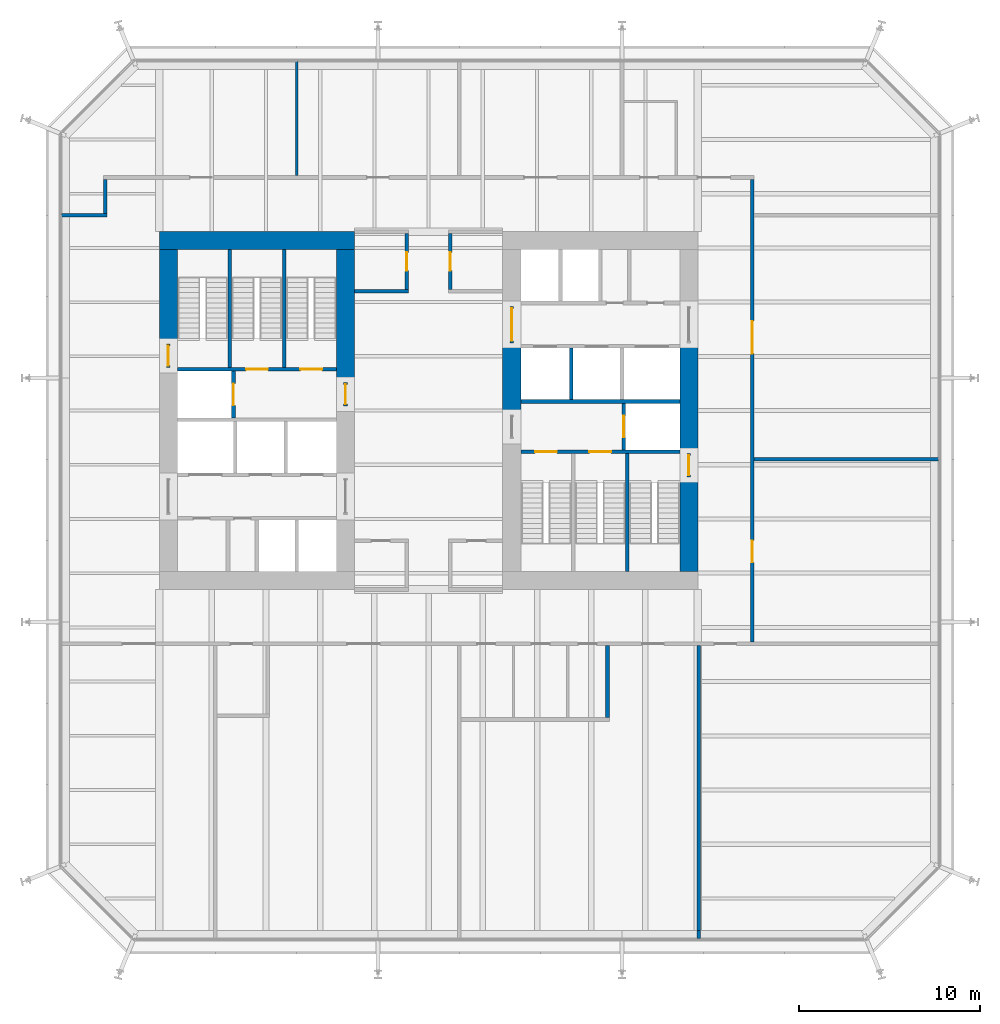
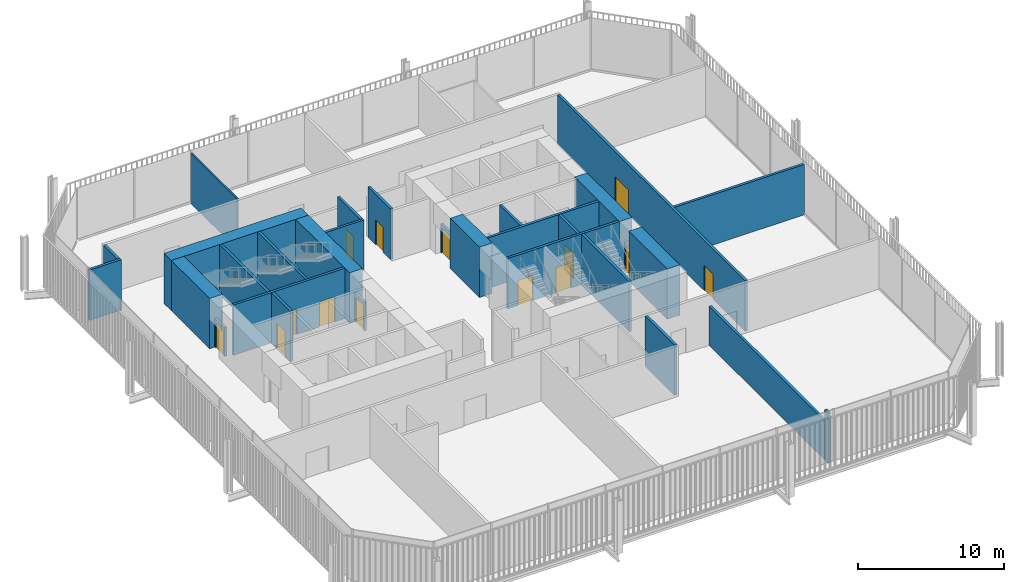
# One storey, part 17 of 20: 30 walls, 14 doors, 14 openings.
"""IFC4 building model written with IfcOpenShell, lengths in metres."""

from ifc_helpers import new_model, si_unit, direction, frame, frame_2d, origin, place, context, subcontext, project, spatial, rectangle, extrude, material, layer, layer_set, type_object, element, fill, save


model = new_model("IFC4")

# Units and contexts
model_context = context("Model", 3, precision=1e-05, world=origin(), true_north=direction((0.0, 1.0)))
body_context = subcontext(model_context, "Body", "Model", "MODEL_VIEW")
ifc_project = project(units=[si_unit("LENGTHUNIT", "METRE"), si_unit("AREAUNIT", "SQUARE_METRE"), si_unit("VOLUMEUNIT", "CUBIC_METRE"), si_unit("PLANEANGLEUNIT", "RADIAN"), si_unit("MASSUNIT", "GRAM", prefix="KILO")], contexts=[model_context])

# Site, building, storey
site_placement = place(None, origin())
site = spatial("IfcSite", under=ifc_project, at=site_placement, CompositionType="ELEMENT")
building_placement = place(site_placement, origin())
building = spatial("IfcBuilding", under=site, at=building_placement, Name="Millrace Tower", CompositionType="ELEMENT")
storey_placement = place(building_placement, frame((0.0, 0.0, 77.60009765625)))
storey = spatial("IfcBuildingStorey", under=building, at=storey_placement, Name="L17", CompositionType="ELEMENT", Elevation=77.60009765625)

# Walls
ifc_material_1 = material(Name="Concrete C80", Category="concrete")
ifc_layer_1 = layer(ifc_material_1, 1.0)
ifc_layer_set_1 = layer_set([ifc_layer_1], Name="Concrete C80")
wall_type_1 = type_object("IfcWallType", Name="Core wall 1000 Concrete C80", PredefinedType="SHEAR", material=ifc_layer_set_1)
wall_1_placement = place(storey_placement, frame((-14.89990234375, 9.39990234375, 0.0), z_axis=(0.0, 0.0, 1.0), x_axis=(1.0, 0.0, 0.0)))
element("IfcWall", 1, at=wall_1_placement, inside=storey, type_object=wall_type_1, Name="Core wall W L17", PredefinedType="SHEAR", context=body_context, shape_type="SweptSolid", body=[
    extrude(rectangle(XDim=10.7998046875, YDim=1.0, at=frame_2d((5.39990234375, 0.0))), origin(), (0.0, 0.0, 1.0), 4.199951171875),
])
wall_2_placement = place(storey_placement, frame((-14.39990234375, 3.679931640625, 0.0), z_axis=(0.0, 0.0, 1.0), x_axis=(0.0, 1.0, 0.0)))
element("IfcWall", 2, at=wall_2_placement, inside=storey, type_object=wall_type_1, Name="Core wall W L17", PredefinedType="SHEAR", context=body_context, shape_type="SweptSolid", body=[
    extrude(rectangle(XDim=5.219970703125, YDim=1.0, at=frame_2d((2.60986328125, 0.0))), origin(), (0.0, 0.0, 1.0), 4.199951171875),
])
wall_3_placement = place(storey_placement, frame((-4.60009765625, 1.550048828125, 0.0), z_axis=(0.0, 0.0, 1.0), x_axis=(0.0, 1.0, 0.0)))
element("IfcWall", 3, at=wall_3_placement, inside=storey, type_object=wall_type_1, Name="Core wall W L17", PredefinedType="SHEAR", context=body_context, shape_type="SweptSolid", body=[
    extrude(rectangle(XDim=7.349853515625, YDim=1.0, at=frame_2d((3.6748046875, 0.0))), origin(), (0.0, 0.0, 1.0), 4.199951171875),
])
wall_4_placement = place(storey_placement, frame((14.39990234375, 3.75, 0.0), z_axis=(0.0, 0.0, 1.0), x_axis=(0.0, -1.0, 0.0)))
element("IfcWall", 4, at=wall_4_placement, inside=storey, type_object=wall_type_1, Name="Core wall E L17", PredefinedType="SHEAR", context=body_context, shape_type="SweptSolid", body=[
    extrude(rectangle(XDim=6.1298828125, YDim=1.0, at=frame_2d((3.06494140625, 0.0))), origin(), (0.0, 0.0, 1.0), 4.199951171875),
])
wall_5_placement = place(storey_placement, frame((14.39990234375, -3.679931640625, 0.0), z_axis=(0.0, 0.0, 1.0), x_axis=(0.0, -1.0, 0.0)))
element("IfcWall", 5, at=wall_5_placement, inside=storey, type_object=wall_type_1, Name="Core wall E L17", PredefinedType="SHEAR", context=body_context, shape_type="SweptSolid", body=[
    extrude(rectangle(XDim=5.219970703125, YDim=1.0, at=frame_2d((2.60986328125, 0.0))), origin(), (0.0, 0.0, 1.0), 4.199951171875),
])
wall_6_placement = place(storey_placement, frame((4.60009765625, 3.75, 0.0), z_axis=(0.0, 0.0, 1.0), x_axis=(0.0, -1.0, 0.0)))
element("IfcWall", 6, at=wall_6_placement, inside=storey, type_object=wall_type_1, Name="Core wall E L17", PredefinedType="SHEAR", context=body_context, shape_type="SweptSolid", body=[
    extrude(rectangle(XDim=4.0, YDim=1.0, at=frame_2d((2.0, 0.0))), origin(), (0.0, 0.0, 1.0), 4.199951171875),
])
ifc_material_2 = material(Name="Masonry partition, fire-rated", Category="masonry")
ifc_layer_2 = layer(ifc_material_2, 0.199951171875)
ifc_layer_set_2 = layer_set([ifc_layer_2], Name="Masonry partition, fire-rated")
wall_type_2 = type_object("IfcWallType", Name="Corridor wall 200", PredefinedType="PARTITIONING", material=ifc_layer_set_2)
wall_7_placement = place(storey_placement, frame((18.0, -2.699951171875, 0.0), z_axis=(0.0, 0.0, 1.0), x_axis=(1.0, 0.0, 0.0)))
element("IfcWall", 7, at=wall_7_placement, inside=storey, type_object=wall_type_2, Name="Corridor wall L17", PredefinedType="PARTITIONING", context=body_context, shape_type="SweptSolid", body=[
    extrude(rectangle(XDim=10.22998046875, YDim=0.199951171875, at=frame_2d((5.114990234375, 0.0))), origin(), (0.0, 0.0, 1.0), 4.199951171875),
])
wall_8_placement = place(storey_placement, frame((-4.10009765625, 6.60009765625, 0.0), z_axis=(0.0, 0.0, 1.0), x_axis=(1.0, 0.0, 0.0)))
element("IfcWall", 8, at=wall_8_placement, inside=storey, type_object=wall_type_2, Name="Corridor wall L17", PredefinedType="PARTITIONING", context=body_context, shape_type="SweptSolid", body=[
    extrude(rectangle(XDim=3.0, YDim=0.199951171875, at=frame_2d((1.5, 0.0))), origin(), (0.0, 0.0, 1.0), 4.199951171875),
])
wall_9_placement = place(storey_placement, frame((-20.330078125, 10.800048828125, 0.0), z_axis=(0.0, 0.0, 1.0), x_axis=(1.0, 0.0, 0.0)))
element("IfcWall", 9, at=wall_9_placement, inside=storey, type_object=wall_type_2, Name="Corridor wall L17", PredefinedType="PARTITIONING", context=body_context, shape_type="SweptSolid", body=[
    extrude(rectangle(XDim=2.530029296875, YDim=0.199951171875, at=frame_2d((1.26513671875, 0.0))), origin(), (0.0, 0.0, 1.0), 4.199951171875),
])

# Wall, openings, doors
wall_10_placement = place(storey_placement, frame((17.89990234375, -12.800048828125, 0.0), z_axis=(0.0, 0.0, 1.0), x_axis=(0.0, 1.0, 0.0)))
wall_10 = element("IfcWall", 10, at=wall_10_placement, inside=storey, type_object=wall_type_2, Name="Corridor wall L17", PredefinedType="PARTITIONING", context=body_context, shape_type="SweptSolid", body=[
    extrude(rectangle(XDim=25.60009765625, YDim=0.199951171875, at=frame_2d((12.800048828125, 0.0))), origin(), (0.0, 0.0, 1.0), 4.199951171875),
])
opening_1_placement = place(wall_10_placement, frame((4.39990234375, 0.0, 0.0)))
opening_1 = element("IfcOpeningElement", 11, at=opening_1_placement, cuts=wall_10, Name="Opening 17-P015", PredefinedType="OPENING", context=body_context, shape_type="SweptSolid", body=[
    extrude(rectangle(XDim=1.199951171875, YDim=2.10009765625, at=frame_2d((0.60009765625, 1.050048828125))), frame((0.0, 0.10986328125, 0.0), z_axis=(0.0, -1.0, 0.0), x_axis=(1.0, 0.0, 0.0)), (0.0, 0.0, 1.0), 0.219970703125),
])
opening_2_placement = place(wall_10_placement, frame((15.949951171875, 0.0, 0.0)))
opening_2 = element("IfcOpeningElement", 12, at=opening_2_placement, cuts=wall_10, Name="Opening 17-P016", PredefinedType="OPENING", context=body_context, shape_type="SweptSolid", body=[
    extrude(rectangle(XDim=1.800048828125, YDim=2.10009765625, at=frame_2d((0.89990234375, 1.050048828125))), frame((0.0, 0.10986328125, 0.0), z_axis=(0.0, -1.0, 0.0), x_axis=(1.0, 0.0, 0.0)), (0.0, 0.0, 1.0), 0.219970703125),
])
ifc_material_3 = material(Name="Steel door set, fire-rated", Category="steel")
door_type_1 = type_object("IfcDoorType", Name="Data hall door 1200 x 2100", OperationType="SINGLE_SWING_LEFT", PredefinedType="DOOR", material=ifc_material_3)
door_1_placement = place(opening_1_placement, frame((1.199951171875, 0.0, 0.0), z_axis=(0.0, 0.0, 1.0), x_axis=(-1.0, 0.0, 0.0)))
door_1 = element("IfcDoor", 13, at=door_1_placement, inside=storey, type_object=door_type_1, Name="Door 17-P015", OperationType="SINGLE_SWING_RIGHT", OverallHeight=2.10009765625, OverallWidth=1.199951171875, PredefinedType="DOOR", context=body_context, shape_type="SweptSolid", body=[
    extrude(rectangle(XDim=1.199951171875, YDim=2.10009765625, at=frame_2d((0.60009765625, 1.050048828125))), frame((0.0, 0.02490234375, 0.0), z_axis=(0.0, -1.0, 0.0), x_axis=(1.0, 0.0, 0.0)), (0.0, 0.0, 1.0), 0.050048828125),
])
fill(opening_1, door_1)
ifc_material_4 = material(Name="Steel door set, fire-rated", Category="steel")
door_type_2 = type_object("IfcDoorType", Name="Data hall door 1800 x 2100", OperationType="DOUBLE_DOOR_SINGLE_SWING", PredefinedType="DOOR", material=ifc_material_4)
door_2_placement = place(opening_2_placement, frame((1.800048828125, 0.0, 0.0), z_axis=(0.0, 0.0, 1.0), x_axis=(-1.0, 0.0, 0.0)))
door_2 = element("IfcDoor", 14, at=door_2_placement, inside=storey, type_object=door_type_2, Name="Door 17-P016", OperationType="DOUBLE_DOOR_SINGLE_SWING", OverallHeight=2.10009765625, OverallWidth=1.800048828125, PredefinedType="DOOR", context=body_context, shape_type="SweptSolid", body=[
    extrude(rectangle(XDim=1.800048828125, YDim=2.10009765625, at=frame_2d((0.89990234375, 1.050048828125))), frame((0.0, 0.02490234375, 0.0), z_axis=(0.0, -1.0, 0.0), x_axis=(1.0, 0.0, 0.0)), (0.0, 0.0, 1.0), 0.050048828125),
])
fill(opening_2, door_2)

# Walls
wall_11_placement = place(storey_placement, frame((14.93994140625, -29.22998046875, 0.0), z_axis=(0.0, 0.0, 1.0), x_axis=(0.0, 1.0, 0.0)))
element("IfcWall", 15, at=wall_11_placement, inside=storey, type_object=wall_type_2, Name="Corridor wall L17", PredefinedType="PARTITIONING", context=body_context, shape_type="SweptSolid", body=[
    extrude(rectangle(XDim=0.448974609375, YDim=0.199951171875, at=frame_2d((0.224609375, 0.0))), origin(), (0.0, 0.0, 1.0), 4.199951171875),
])
wall_12_placement = place(storey_placement, frame((14.93994140625, -28.781005859375, 0.0), z_axis=(0.0, 0.0, 1.0), x_axis=(0.0, 1.0, 0.0)))
element("IfcWall", 16, at=wall_12_placement, inside=storey, type_object=wall_type_2, Name="Corridor wall L17", PredefinedType="PARTITIONING", context=body_context, shape_type="SweptSolid", body=[
    extrude(rectangle(XDim=15.781005859375, YDim=0.199951171875, at=frame_2d((7.890625, 0.0))), origin(), (0.0, 0.0, 1.0), 3.25244140625),
])
wall_13_placement = place(storey_placement, frame((9.89990234375, -17.0, 0.0), z_axis=(0.0, 0.0, 1.0), x_axis=(0.0, 1.0, 0.0)))
element("IfcWall", 17, at=wall_13_placement, inside=storey, type_object=wall_type_2, Name="Corridor wall L17", PredefinedType="PARTITIONING", context=body_context, shape_type="SweptSolid", body=[
    extrude(rectangle(XDim=4.0, YDim=0.199951171875, at=frame_2d((2.0, 0.0))), origin(), (0.0, 0.0, 1.0), 4.199951171875),
])

# Wall, opening, door
wall_14_placement = place(storey_placement, frame((1.199951171875, 6.699951171875, 0.0), z_axis=(0.0, 0.0, 1.0), x_axis=(0.0, 1.0, 0.0)))
wall_14 = element("IfcWall", 18, at=wall_14_placement, inside=storey, type_object=wall_type_2, Name="Corridor wall L17", PredefinedType="PARTITIONING", context=body_context, shape_type="SweptSolid", body=[
    extrude(rectangle(XDim=3.10009765625, YDim=0.199951171875, at=frame_2d((1.550048828125, 0.0))), origin(), (0.0, 0.0, 1.0), 4.199951171875),
])
opening_3_placement = place(wall_14_placement, frame((1.050048828125, 0.0, 0.0)))
opening_3 = element("IfcOpeningElement", 19, at=opening_3_placement, cuts=wall_14, Name="Opening 17-P002", PredefinedType="OPENING", context=body_context, shape_type="SweptSolid", body=[
    extrude(rectangle(XDim=1.0, YDim=2.10009765625, at=frame_2d((0.5, 1.050048828125))), frame((0.0, 0.10986328125, 0.0), z_axis=(0.0, -1.0, 0.0), x_axis=(1.0, 0.0, 0.0)), (0.0, 0.0, 1.0), 0.219970703125),
])
ifc_material_5 = material(Name="Steel door set, fire-rated", Category="steel")
door_type_3 = type_object("IfcDoorType", Name="Corridor door 1000 x 2100", OperationType="SINGLE_SWING_LEFT", PredefinedType="DOOR", material=ifc_material_5)
door_3_placement = place(opening_3_placement, frame((1.0, 0.0, 0.0), z_axis=(0.0, 0.0, 1.0), x_axis=(-1.0, 0.0, 0.0)))
door_3 = element("IfcDoor", 20, at=door_3_placement, inside=storey, type_object=door_type_3, Name="Door 17-P002", OperationType="SINGLE_SWING_RIGHT", OverallHeight=2.10009765625, OverallWidth=1.0, PredefinedType="DOOR", context=body_context, shape_type="SweptSolid", body=[
    extrude(rectangle(XDim=1.0, YDim=2.10009765625, at=frame_2d((0.5, 1.050048828125))), frame((0.0, 0.02490234375, 0.0), z_axis=(0.0, -1.0, 0.0), x_axis=(1.0, 0.0, 0.0)), (0.0, 0.0, 1.0), 0.050048828125),
])
fill(opening_3, door_3)

wall_15_placement = place(storey_placement, frame((-1.199951171875, 6.699951171875, 0.0), z_axis=(0.0, 0.0, 1.0), x_axis=(0.0, 1.0, 0.0)))
wall_15 = element("IfcWall", 21, at=wall_15_placement, inside=storey, type_object=wall_type_2, Name="Corridor wall L17", PredefinedType="PARTITIONING", context=body_context, shape_type="SweptSolid", body=[
    extrude(rectangle(XDim=3.10009765625, YDim=0.199951171875, at=frame_2d((1.550048828125, 0.0))), origin(), (0.0, 0.0, 1.0), 4.199951171875),
])
opening_4_placement = place(wall_15_placement, frame((1.050048828125, 0.0, 0.0)))
opening_4 = element("IfcOpeningElement", 22, at=opening_4_placement, cuts=wall_15, Name="Opening 17-P001", PredefinedType="OPENING", context=body_context, shape_type="SweptSolid", body=[
    extrude(rectangle(XDim=1.0, YDim=2.10009765625, at=frame_2d((0.5, 1.050048828125))), frame((0.0, 0.10986328125, 0.0), z_axis=(0.0, -1.0, 0.0), x_axis=(1.0, 0.0, 0.0)), (0.0, 0.0, 1.0), 0.219970703125),
])
door_4_placement = place(opening_4_placement, origin())
door_4 = element("IfcDoor", 23, at=door_4_placement, inside=storey, type_object=door_type_3, Name="Door 17-P001", OperationType="SINGLE_SWING_LEFT", OverallHeight=2.10009765625, OverallWidth=1.0, PredefinedType="DOOR", context=body_context, shape_type="SweptSolid", body=[
    extrude(rectangle(XDim=1.0, YDim=2.10009765625, at=frame_2d((0.5, 1.050048828125))), frame((0.0, 0.02490234375, 0.0), z_axis=(0.0, -1.0, 0.0), x_axis=(1.0, 0.0, 0.0)), (0.0, 0.0, 1.0), 0.050048828125),
])
fill(opening_4, door_4)

# Wall
wall_16_placement = place(storey_placement, frame((-17.89990234375, 10.89990234375, 0.0), z_axis=(0.0, 0.0, 1.0), x_axis=(0.0, 1.0, 0.0)))
element("IfcWall", 24, at=wall_16_placement, inside=storey, type_object=wall_type_2, Name="Corridor wall L17", PredefinedType="PARTITIONING", context=body_context, shape_type="SweptSolid", body=[
    extrude(rectangle(XDim=1.900146484375, YDim=0.199951171875, at=frame_2d((0.9501953125, 0.0))), origin(), (0.0, 0.0, 1.0), 4.199951171875),
])

# Wall, opening, door
ifc_material_6 = material(Name="Masonry partition, fire-rated", Category="masonry")
ifc_layer_3 = layer(ifc_material_6, 0.199951171875)
ifc_layer_set_3 = layer_set([ifc_layer_3], Name="Masonry partition, fire-rated")
wall_type_3 = type_object("IfcWallType", Name="Lift shaft wall 200", PredefinedType="PARTITIONING", material=ifc_layer_set_3)
wall_17_placement = place(storey_placement, frame((-10.800048828125, -0.39990234375, 0.0), z_axis=(0.0, 0.0, 1.0), x_axis=(0.0, 1.0, 0.0)))
wall_17 = element("IfcWall", 25, at=wall_17_placement, inside=storey, type_object=wall_type_3, Name="Lift shaft wall W L17", PredefinedType="PARTITIONING", context=body_context, shape_type="SweptSolid", body=[
    extrude(rectangle(XDim=2.579833984375, YDim=0.199951171875, at=frame_2d((1.2900390625, 0.0))), origin(), (0.0, 0.0, 1.0), 4.199951171875),
])
opening_5_placement = place(wall_17_placement, frame((0.68994140625, 0.0, 0.0)))
opening_5 = element("IfcOpeningElement", 26, at=opening_5_placement, cuts=wall_17, Name="Opening 17-LD08", PredefinedType="OPENING", context=body_context, shape_type="SweptSolid", body=[
    extrude(rectangle(XDim=1.199951171875, YDim=2.10009765625, at=frame_2d((0.60009765625, 1.050048828125))), frame((0.0, 0.10986328125, 0.0), z_axis=(0.0, -1.0, 0.0), x_axis=(1.0, 0.0, 0.0)), (0.0, 0.0, 1.0), 0.219970703125),
])
ifc_material_7 = material(Name="Stainless steel, fire-rated", Category="steel")
door_type_4 = type_object("IfcDoorType", Name="Lift landing door 1200 x 2100", OperationType="DOUBLE_DOOR_SLIDING", PredefinedType="DOOR", material=ifc_material_7)
door_5_placement = place(opening_5_placement, origin())
door_5 = element("IfcDoor", 27, at=door_5_placement, inside=storey, type_object=door_type_4, Name="Lift landing door LF8 L17", OperationType="DOUBLE_DOOR_SLIDING", OverallHeight=2.10009765625, OverallWidth=1.199951171875, PredefinedType="DOOR", context=body_context, shape_type="SweptSolid", body=[
    extrude(rectangle(XDim=1.199951171875, YDim=2.10009765625, at=frame_2d((0.60009765625, 1.050048828125))), frame((0.0, 0.02490234375, 0.0), z_axis=(0.0, -1.0, 0.0), x_axis=(1.0, 0.0, 0.0)), (0.0, 0.0, 1.0), 0.050048828125),
])
fill(opening_5, door_5)

# Wall
wall_18_placement = place(storey_placement, frame((13.89990234375, 0.5, 0.0), z_axis=(0.0, 0.0, 1.0), x_axis=(-1.0, 0.0, 0.0)))
element("IfcWall", 28, at=wall_18_placement, inside=storey, type_object=wall_type_3, Name="Lift shaft wall E L17", PredefinedType="PARTITIONING", context=body_context, shape_type="SweptSolid", body=[
    extrude(rectangle(XDim=8.7998046875, YDim=0.199951171875, at=frame_2d((4.39990234375, 0.0))), origin(), (0.0, 0.0, 1.0), 4.199951171875),
])

# Wall, opening, door
wall_19_placement = place(storey_placement, frame((10.800048828125, 0.39990234375, 0.0), z_axis=(0.0, 0.0, 1.0), x_axis=(0.0, -1.0, 0.0)))
wall_19 = element("IfcWall", 29, at=wall_19_placement, inside=storey, type_object=wall_type_3, Name="Lift shaft wall E L17", PredefinedType="PARTITIONING", context=body_context, shape_type="SweptSolid", body=[
    extrude(rectangle(XDim=2.579833984375, YDim=0.199951171875, at=frame_2d((1.2900390625, 0.0))), origin(), (0.0, 0.0, 1.0), 4.199951171875),
])
opening_6_placement = place(wall_19_placement, frame((0.68994140625, 0.0, 0.0)))
opening_6 = element("IfcOpeningElement", 30, at=opening_6_placement, cuts=wall_19, Name="Opening 17-LD16", PredefinedType="OPENING", context=body_context, shape_type="SweptSolid", body=[
    extrude(rectangle(XDim=1.199951171875, YDim=2.10009765625, at=frame_2d((0.60009765625, 1.050048828125))), frame((0.0, 0.10986328125, 0.0), z_axis=(0.0, -1.0, 0.0), x_axis=(1.0, 0.0, 0.0)), (0.0, 0.0, 1.0), 0.219970703125),
])
door_6_placement = place(opening_6_placement, origin())
door_6 = element("IfcDoor", 31, at=door_6_placement, inside=storey, type_object=door_type_4, Name="Lift landing door LF16 L17", OperationType="DOUBLE_DOOR_SLIDING", OverallHeight=2.10009765625, OverallWidth=1.199951171875, PredefinedType="DOOR", context=body_context, shape_type="SweptSolid", body=[
    extrude(rectangle(XDim=1.199951171875, YDim=2.10009765625, at=frame_2d((0.60009765625, 1.050048828125))), frame((0.0, 0.02490234375, 0.0), z_axis=(0.0, -1.0, 0.0), x_axis=(1.0, 0.0, 0.0)), (0.0, 0.0, 1.0), 0.050048828125),
])
fill(opening_6, door_6)

# Wall
wall_20_placement = place(storey_placement, frame((7.89990234375, 3.449951171875, 0.0), z_axis=(0.0, 0.0, 1.0), x_axis=(0.0, -1.0, 0.0)))
element("IfcWall", 32, at=wall_20_placement, inside=storey, type_object=wall_type_3, Name="Lift shaft wall E L17", PredefinedType="PARTITIONING", context=body_context, shape_type="SweptSolid", body=[
    extrude(rectangle(XDim=2.849853515625, YDim=0.199951171875, at=frame_2d((1.4248046875, 0.0))), origin(), (0.0, 0.0, 1.0), 4.199951171875),
])

# Wall, opening, door
ifc_material_8 = material(Name="Masonry partition, fire-rated", Category="masonry")
ifc_layer_4 = layer(ifc_material_8, 0.199951171875)
ifc_layer_set_4 = layer_set([ifc_layer_4], Name="Masonry partition, fire-rated")
wall_type_4 = type_object("IfcWallType", Name="Lobby wall 200", PredefinedType="PARTITIONING", material=ifc_layer_set_4)
wall_21_placement = place(storey_placement, frame((-4.60009765625, 0.25, 0.0), z_axis=(0.0, 0.0, 1.0), x_axis=(0.0, 1.0, 0.0)))
wall_21 = element("IfcWall", 33, at=wall_21_placement, inside=storey, type_object=wall_type_4, Name="Lobby wall W L17", PredefinedType="PARTITIONING", context=body_context, shape_type="SweptSolid", body=[
    extrude(rectangle(XDim=1.300048828125, YDim=0.199951171875, at=frame_2d((0.64990234375, 0.0))), origin(), (0.0, 0.0, 1.0), 2.39990234375),
])
opening_7_placement = place(wall_21_placement, frame((0.10009765625, 0.0, 0.0)))
opening_7 = element("IfcOpeningElement", 34, at=opening_7_placement, cuts=wall_21, Name="Opening 17-C004", PredefinedType="OPENING", context=body_context, shape_type="SweptSolid", body=[
    extrude(rectangle(XDim=1.10009765625, YDim=2.10009765625, at=frame_2d((0.550048828125, 1.050048828125))), frame((0.0, 0.10986328125, 0.0), z_axis=(0.0, -1.0, 0.0), x_axis=(1.0, 0.0, 0.0)), (0.0, 0.0, 1.0), 0.219970703125),
])
ifc_material_9 = material(Name="Steel door, fire-rated", Category="steel")
door_type_5 = type_object("IfcDoorType", Name="Lobby door 1100 x 2100", OperationType="SINGLE_SWING_LEFT", PredefinedType="DOOR", material=ifc_material_9)
door_7_placement = place(opening_7_placement, origin())
door_7 = element("IfcDoor", 35, at=door_7_placement, inside=storey, type_object=door_type_5, Name="Lobby door 17-C004", OperationType="SINGLE_SWING_LEFT", OverallHeight=2.10009765625, OverallWidth=1.10009765625, PredefinedType="DOOR", context=body_context, shape_type="SweptSolid", body=[
    extrude(rectangle(XDim=1.10009765625, YDim=2.10009765625, at=frame_2d((0.550048828125, 1.050048828125))), frame((0.0, 0.02490234375, 0.0), z_axis=(0.0, -1.0, 0.0), x_axis=(1.0, 0.0, 0.0)), (0.0, 0.0, 1.0), 0.050048828125),
])
fill(opening_7, door_7)

wall_22_placement = place(storey_placement, frame((4.60009765625, 5.75, 0.0), z_axis=(0.0, 0.0, 1.0), x_axis=(0.0, -1.0, 0.0)))
wall_22 = element("IfcWall", 36, at=wall_22_placement, inside=storey, type_object=wall_type_4, Name="Lobby wall E L17", PredefinedType="PARTITIONING", context=body_context, shape_type="SweptSolid", body=[
    extrude(rectangle(XDim=2.0, YDim=0.199951171875, at=frame_2d((1.0, 0.0))), origin(), (0.0, 0.0, 1.0), 2.39990234375),
])
opening_8_placement = place(wall_22_placement, frame((0.10009765625, 0.0, 0.0)))
opening_8 = element("IfcOpeningElement", 37, at=opening_8_placement, cuts=wall_22, Name="Opening 17-C011", PredefinedType="OPENING", context=body_context, shape_type="SweptSolid", body=[
    extrude(rectangle(XDim=1.800048828125, YDim=2.10009765625, at=frame_2d((0.89990234375, 1.050048828125))), frame((0.0, 0.10986328125, 0.0), z_axis=(0.0, -1.0, 0.0), x_axis=(1.0, 0.0, 0.0)), (0.0, 0.0, 1.0), 0.219970703125),
])
ifc_material_10 = material(Name="Steel door, fire-rated", Category="steel")
door_type_6 = type_object("IfcDoorType", Name="Lobby door 1800 x 2100", OperationType="DOUBLE_DOOR_SINGLE_SWING", PredefinedType="DOOR", material=ifc_material_10)
door_8_placement = place(opening_8_placement, origin())
door_8 = element("IfcDoor", 38, at=door_8_placement, inside=storey, type_object=door_type_6, Name="Lobby door 17-C011", OperationType="DOUBLE_DOOR_SINGLE_SWING", OverallHeight=2.10009765625, OverallWidth=1.800048828125, PredefinedType="DOOR", context=body_context, shape_type="SweptSolid", body=[
    extrude(rectangle(XDim=1.800048828125, YDim=2.10009765625, at=frame_2d((0.89990234375, 1.050048828125))), frame((0.0, 0.02490234375, 0.0), z_axis=(0.0, -1.0, 0.0), x_axis=(1.0, 0.0, 0.0)), (0.0, 0.0, 1.0), 0.050048828125),
])
fill(opening_8, door_8)

# Wall
ifc_material_11 = material(Name="Gypsum board partition")
ifc_layer_5 = layer(ifc_material_11, 0.1201171875)
ifc_layer_set_5 = layer_set([ifc_layer_5], Name="Gypsum board partition")
wall_type_5 = type_object("IfcWallType", Name="Partition wall 120", PredefinedType="PARTITIONING", material=ifc_layer_set_5)
wall_23_placement = place(storey_placement, frame((-7.300048828125, 13.0, 0.0), z_axis=(0.0, 0.0, 1.0), x_axis=(0.0, 1.0, 0.0)))
element("IfcWall", 39, at=wall_23_placement, inside=storey, type_object=wall_type_5, Name="Partition wall L17", PredefinedType="PARTITIONING", context=body_context, shape_type="SweptSolid", body=[
    extrude(rectangle(XDim=6.330078125, YDim=0.1201171875, at=frame_2d((3.1650390625, 0.0))), origin(), (0.0, 0.0, 1.0), 4.199951171875),
])

# Wall, opening, door
ifc_material_12 = material(Name="Concrete C40", Category="concrete")
ifc_layer_6 = layer(ifc_material_12, 0.199951171875)
ifc_layer_set_6 = layer_set([ifc_layer_6], Name="Concrete C40")
wall_type_6 = type_object("IfcWallType", Name="Stair enclosure wall 200 Concrete C40", PredefinedType="SHEAR", material=ifc_layer_set_6)
wall_24_placement = place(storey_placement, frame((-14.39990234375, 2.3798828125, 0.0), z_axis=(0.0, 0.0, 1.0), x_axis=(0.0, 1.0, 0.0)))
wall_24 = element("IfcWall", 40, at=wall_24_placement, inside=storey, type_object=wall_type_6, Name="Stair enclosure wall W L17", PredefinedType="SHEAR", context=body_context, shape_type="SweptSolid", body=[
    extrude(rectangle(XDim=1.300048828125, YDim=0.199951171875, at=frame_2d((0.64990234375, 0.0))), origin(), (0.0, 0.0, 1.0), 2.39990234375),
])
opening_9_placement = place(wall_24_placement, frame((0.10009765625, 0.0, 0.0)))
opening_9 = element("IfcOpeningElement", 41, at=opening_9_placement, cuts=wall_24, Name="Opening 17-C002", PredefinedType="OPENING", context=body_context, shape_type="SweptSolid", body=[
    extrude(rectangle(XDim=1.10009765625, YDim=2.10009765625, at=frame_2d((0.550048828125, 1.050048828125))), frame((0.0, 0.10986328125, 0.0), z_axis=(0.0, -1.0, 0.0), x_axis=(1.0, 0.0, 0.0)), (0.0, 0.0, 1.0), 0.219970703125),
])
ifc_material_13 = material(Name="Steel door, fire-rated", Category="steel")
door_type_7 = type_object("IfcDoorType", Name="Stair door 1100 x 2100", OperationType="SINGLE_SWING_LEFT", PredefinedType="DOOR", material=ifc_material_13)
door_9_placement = place(opening_9_placement, origin())
door_9 = element("IfcDoor", 42, at=door_9_placement, inside=storey, type_object=door_type_7, Name="Stair door 17-C002", OperationType="SINGLE_SWING_LEFT", OverallHeight=2.10009765625, OverallWidth=1.10009765625, PredefinedType="DOOR", context=body_context, shape_type="SweptSolid", body=[
    extrude(rectangle(XDim=1.10009765625, YDim=2.10009765625, at=frame_2d((0.550048828125, 1.050048828125))), frame((0.0, 0.02490234375, 0.0), z_axis=(0.0, -1.0, 0.0), x_axis=(1.0, 0.0, 0.0)), (0.0, 0.0, 1.0), 0.050048828125),
])
fill(opening_9, door_9)

# Wall, openings, doors
wall_25_placement = place(storey_placement, frame((-13.89990234375, 2.280029296875, 0.0), z_axis=(0.0, 0.0, 1.0), x_axis=(1.0, 0.0, 0.0)))
wall_25 = element("IfcWall", 43, at=wall_25_placement, inside=storey, type_object=wall_type_6, Name="Stair enclosure wall W L17", PredefinedType="SHEAR", context=body_context, shape_type="SweptSolid", body=[
    extrude(rectangle(XDim=8.7998046875, YDim=0.199951171875, at=frame_2d((4.39990234375, 0.0))), origin(), (0.0, 0.0, 1.0), 4.199951171875),
])
opening_10_placement = place(wall_25_placement, frame((3.800048828125, 0.0, 0.0)))
opening_10 = element("IfcOpeningElement", 44, at=opening_10_placement, cuts=wall_25, Name="Opening 17-C007", PredefinedType="OPENING", context=body_context, shape_type="SweptSolid", body=[
    extrude(rectangle(XDim=1.199951171875, YDim=2.10009765625, at=frame_2d((0.60009765625, 1.050048828125))), frame((0.0, 0.10986328125, 0.0), z_axis=(0.0, -1.0, 0.0), x_axis=(1.0, 0.0, 0.0)), (0.0, 0.0, 1.0), 0.219970703125),
])
opening_11_placement = place(wall_25_placement, frame((6.800048828125, 0.0, 0.0)))
opening_11 = element("IfcOpeningElement", 45, at=opening_11_placement, cuts=wall_25, Name="Opening 17-C008", PredefinedType="OPENING", context=body_context, shape_type="SweptSolid", body=[
    extrude(rectangle(XDim=1.199951171875, YDim=2.10009765625, at=frame_2d((0.60009765625, 1.050048828125))), frame((0.0, 0.10986328125, 0.0), z_axis=(0.0, -1.0, 0.0), x_axis=(1.0, 0.0, 0.0)), (0.0, 0.0, 1.0), 0.219970703125),
])
ifc_material_14 = material(Name="Steel door, fire-rated", Category="steel")
door_type_8 = type_object("IfcDoorType", Name="Stair door 1200 x 2100", OperationType="SINGLE_SWING_LEFT", PredefinedType="DOOR", material=ifc_material_14)
door_10_placement = place(opening_10_placement, frame((1.199951171875, 0.0, 0.0), z_axis=(0.0, 0.0, 1.0), x_axis=(-1.0, 0.0, 0.0)))
door_10 = element("IfcDoor", 46, at=door_10_placement, inside=storey, type_object=door_type_8, Name="Stair door 17-C007", OperationType="SINGLE_SWING_RIGHT", OverallHeight=2.10009765625, OverallWidth=1.199951171875, PredefinedType="DOOR", context=body_context, shape_type="SweptSolid", body=[
    extrude(rectangle(XDim=1.199951171875, YDim=2.10009765625, at=frame_2d((0.60009765625, 1.050048828125))), frame((0.0, 0.02490234375, 0.0), z_axis=(0.0, -1.0, 0.0), x_axis=(1.0, 0.0, 0.0)), (0.0, 0.0, 1.0), 0.050048828125),
])
fill(opening_10, door_10)
door_11_placement = place(opening_11_placement, frame((1.199951171875, 0.0, 0.0), z_axis=(0.0, 0.0, 1.0), x_axis=(-1.0, 0.0, 0.0)))
door_11 = element("IfcDoor", 47, at=door_11_placement, inside=storey, type_object=door_type_8, Name="Stair door 17-C008", OperationType="SINGLE_SWING_LEFT", OverallHeight=2.10009765625, OverallWidth=1.199951171875, PredefinedType="DOOR", context=body_context, shape_type="SweptSolid", body=[
    extrude(rectangle(XDim=1.199951171875, YDim=2.10009765625, at=frame_2d((0.60009765625, 1.050048828125))), frame((0.0, 0.02490234375, 0.0), z_axis=(0.0, -1.0, 0.0), x_axis=(1.0, 0.0, 0.0)), (0.0, 0.0, 1.0), 0.050048828125),
])
fill(opening_11, door_11)

# Walls
for number, where, z_axis, x_axis, name in (
    (48, (-11.0, 2.3798828125, 0.0), (0.0, 0.0, 1.0), (0.0, 1.0, 0.0), "Stair enclosure wall W L17"),
    (49, (-8.0, 2.3798828125, 0.0), (0.0, 0.0, 1.0), (0.0, 1.0, 0.0), "Stair enclosure wall W L17"),
):
    element("IfcWall", number, at=place(storey_placement, frame(where, z_axis=z_axis, x_axis=x_axis)), inside=storey, type_object=wall_type_6, Name=name, PredefinedType="SHEAR", context=body_context, shape_type="SweptSolid", body=[
        extrude(rectangle(XDim=6.52001953125, YDim=0.199951171875, at=frame_2d((3.260009765625, 0.0))), origin(), (0.0, 0.0, 1.0), 4.199951171875),
    ])

# Wall, opening, door
wall_26_placement = place(storey_placement, frame((14.39990234375, -2.3798828125, 0.0), z_axis=(0.0, 0.0, 1.0), x_axis=(0.0, -1.0, 0.0)))
wall_26 = element("IfcWall", 50, at=wall_26_placement, inside=storey, type_object=wall_type_6, Name="Stair enclosure wall E L17", PredefinedType="SHEAR", context=body_context, shape_type="SweptSolid", body=[
    extrude(rectangle(XDim=1.300048828125, YDim=0.199951171875, at=frame_2d((0.64990234375, 0.0))), origin(), (0.0, 0.0, 1.0), 2.39990234375),
])
opening_12_placement = place(wall_26_placement, frame((0.10009765625, 0.0, 0.0)))
opening_12 = element("IfcOpeningElement", 51, at=opening_12_placement, cuts=wall_26, Name="Opening 17-C010", PredefinedType="OPENING", context=body_context, shape_type="SweptSolid", body=[
    extrude(rectangle(XDim=1.10009765625, YDim=2.10009765625, at=frame_2d((0.550048828125, 1.050048828125))), frame((0.0, 0.10986328125, 0.0), z_axis=(0.0, -1.0, 0.0), x_axis=(1.0, 0.0, 0.0)), (0.0, 0.0, 1.0), 0.219970703125),
])
door_12_placement = place(opening_12_placement, origin())
door_12 = element("IfcDoor", 52, at=door_12_placement, inside=storey, type_object=door_type_7, Name="Stair door 17-C010", OperationType="SINGLE_SWING_LEFT", OverallHeight=2.10009765625, OverallWidth=1.10009765625, PredefinedType="DOOR", context=body_context, shape_type="SweptSolid", body=[
    extrude(rectangle(XDim=1.10009765625, YDim=2.10009765625, at=frame_2d((0.550048828125, 1.050048828125))), frame((0.0, 0.02490234375, 0.0), z_axis=(0.0, -1.0, 0.0), x_axis=(1.0, 0.0, 0.0)), (0.0, 0.0, 1.0), 0.050048828125),
])
fill(opening_12, door_12)

# Wall, openings, doors
wall_27_placement = place(storey_placement, frame((13.89990234375, -2.280029296875, 0.0), z_axis=(0.0, 0.0, 1.0), x_axis=(-1.0, 0.0, 0.0)))
wall_27 = element("IfcWall", 53, at=wall_27_placement, inside=storey, type_object=wall_type_6, Name="Stair enclosure wall E L17", PredefinedType="SHEAR", context=body_context, shape_type="SweptSolid", body=[
    extrude(rectangle(XDim=8.7998046875, YDim=0.199951171875, at=frame_2d((4.39990234375, 0.0))), origin(), (0.0, 0.0, 1.0), 4.199951171875),
])
opening_13_placement = place(wall_27_placement, frame((3.800048828125, 0.0, 0.0)))
opening_13 = element("IfcOpeningElement", 54, at=opening_13_placement, cuts=wall_27, Name="Opening 17-C015", PredefinedType="OPENING", context=body_context, shape_type="SweptSolid", body=[
    extrude(rectangle(XDim=1.199951171875, YDim=2.10009765625, at=frame_2d((0.60009765625, 1.050048828125))), frame((0.0, 0.10986328125, 0.0), z_axis=(0.0, -1.0, 0.0), x_axis=(1.0, 0.0, 0.0)), (0.0, 0.0, 1.0), 0.219970703125),
])
opening_14_placement = place(wall_27_placement, frame((6.800048828125, 0.0, 0.0)))
opening_14 = element("IfcOpeningElement", 55, at=opening_14_placement, cuts=wall_27, Name="Opening 17-C016", PredefinedType="OPENING", context=body_context, shape_type="SweptSolid", body=[
    extrude(rectangle(XDim=1.199951171875, YDim=2.10009765625, at=frame_2d((0.60009765625, 1.050048828125))), frame((0.0, 0.10986328125, 0.0), z_axis=(0.0, -1.0, 0.0), x_axis=(1.0, 0.0, 0.0)), (0.0, 0.0, 1.0), 0.219970703125),
])
door_13_placement = place(opening_13_placement, frame((1.199951171875, 0.0, 0.0), z_axis=(0.0, 0.0, 1.0), x_axis=(-1.0, 0.0, 0.0)))
door_13 = element("IfcDoor", 56, at=door_13_placement, inside=storey, type_object=door_type_8, Name="Stair door 17-C015", OperationType="SINGLE_SWING_RIGHT", OverallHeight=2.10009765625, OverallWidth=1.199951171875, PredefinedType="DOOR", context=body_context, shape_type="SweptSolid", body=[
    extrude(rectangle(XDim=1.199951171875, YDim=2.10009765625, at=frame_2d((0.60009765625, 1.050048828125))), frame((0.0, 0.02490234375, 0.0), z_axis=(0.0, -1.0, 0.0), x_axis=(1.0, 0.0, 0.0)), (0.0, 0.0, 1.0), 0.050048828125),
])
fill(opening_13, door_13)
door_14_placement = place(opening_14_placement, frame((1.199951171875, 0.0, 0.0), z_axis=(0.0, 0.0, 1.0), x_axis=(-1.0, 0.0, 0.0)))
door_14 = element("IfcDoor", 57, at=door_14_placement, inside=storey, type_object=door_type_8, Name="Stair door 17-C016", OperationType="SINGLE_SWING_LEFT", OverallHeight=2.10009765625, OverallWidth=1.199951171875, PredefinedType="DOOR", context=body_context, shape_type="SweptSolid", body=[
    extrude(rectangle(XDim=1.199951171875, YDim=2.10009765625, at=frame_2d((0.60009765625, 1.050048828125))), frame((0.0, 0.02490234375, 0.0), z_axis=(0.0, -1.0, 0.0), x_axis=(1.0, 0.0, 0.0)), (0.0, 0.0, 1.0), 0.050048828125),
])
fill(opening_14, door_14)

# Wall
wall_28_placement = place(storey_placement, frame((11.0, -2.3798828125, 0.0), z_axis=(0.0, 0.0, 1.0), x_axis=(0.0, -1.0, 0.0)))
element("IfcWall", 58, at=wall_28_placement, inside=storey, type_object=wall_type_6, Name="Stair enclosure wall E L17", PredefinedType="SHEAR", context=body_context, shape_type="SweptSolid", body=[
    extrude(rectangle(XDim=6.52001953125, YDim=0.199951171875, at=frame_2d((3.260009765625, 0.0))), origin(), (0.0, 0.0, 1.0), 4.199951171875),
])

save(model, "model.ifc")
